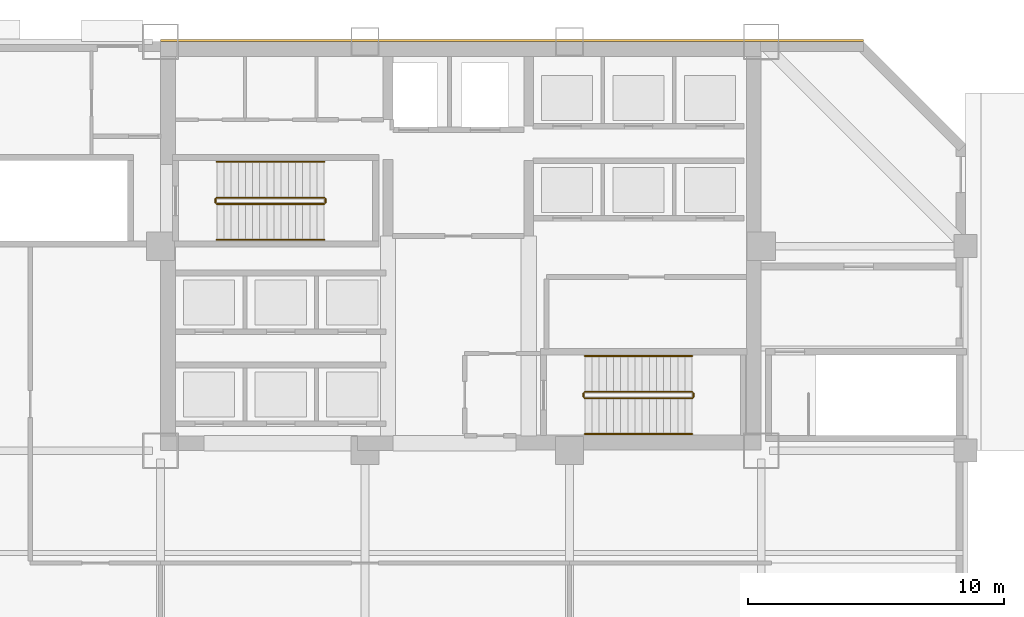
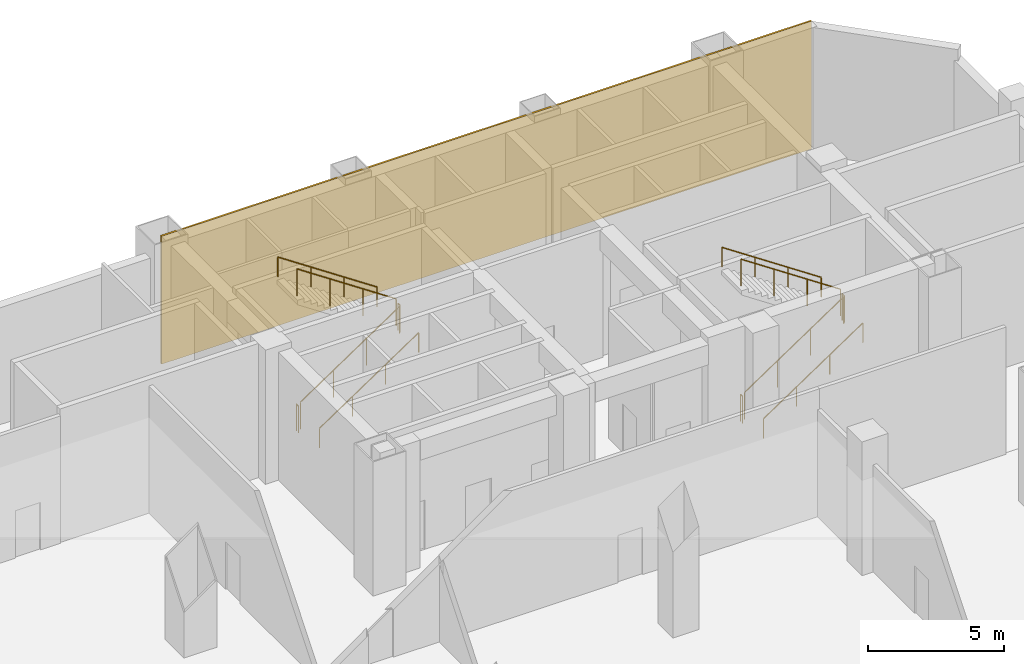
# One storey, part 17 of 19: 12 railings, 1 covering.
"""IFC4 building model written with IfcOpenShell, lengths in metres."""

from ifc_helpers import new_model, si_unit, direction, frame, origin, origin_2d, place, context, subcontext, project, spatial, rectangle, circle, extrude, material, layer, layer_set, type_object, element, save


model = new_model("IFC4")

# Units and contexts
model_context = context("Model", 3, precision=1e-05, world=origin(), true_north=direction((0.0, 1.0)))
body_context = subcontext(model_context, "Body", "Model", "MODEL_VIEW")
ifc_project = project(units=[si_unit("LENGTHUNIT", "METRE"), si_unit("AREAUNIT", "SQUARE_METRE"), si_unit("VOLUMEUNIT", "CUBIC_METRE"), si_unit("PLANEANGLEUNIT", "RADIAN"), si_unit("MASSUNIT", "GRAM", prefix="KILO")], contexts=[model_context])

# Site, building, storey
site_placement = place(None, origin())
site = spatial("IfcSite", under=ifc_project, at=site_placement, CompositionType="ELEMENT")
building_placement = place(site_placement, origin())
building = spatial("IfcBuilding", under=site, at=building_placement, Name="Qianrong Seaharbour Tower", CompositionType="ELEMENT")
storey_placement = place(building_placement, origin())
storey = spatial("IfcBuildingStorey", under=building, at=storey_placement, Name="L01", CompositionType="ELEMENT", Elevation=0.0)

# Covering
ifc_material_1 = material(Name="Unitised red brick cladding on Precast concrete C45/55", Category="masonry")
ifc_layer = layer(ifc_material_1, 0.080078125)
ifc_layer_set = layer_set([ifc_layer], Name="Unitised red brick cladding on Precast concrete C45/55")
covering_type = type_object("IfcCoveringType", Name="COV-CLAD-RED-BRICK-80", PredefinedType="CLADDING", material=ifc_layer_set)
covering_placement = place(storey_placement, frame((54.25, 52.0400390625, 0.0), z_axis=(0.0, 0.0, 1.0), x_axis=(1.0, 0.0, 0.0)))
element("IfcCovering", 1, at=covering_placement, inside=storey, type_object=covering_type, Name="L01 North Core Brick Veneer Cladding", PredefinedType="CLADDING", context=body_context, shape_type="SweptSolid", body=[
    extrude(rectangle(XDim=27.5, YDim=0.080078125, at=origin_2d()), origin(), (0.0, 0.0, 1.0), 5.719970703125),
])

# Railings
ifc_material_2 = material(Name="Galvanized painted steel SN400B stair guard", Category="steel")
railing_type_1 = type_object("IfcRailingType", Name="RAIL-STAIR-GUARD-1220", PredefinedType="GUARDRAIL", material=ifc_material_2)
railing_1_placement = place(storey_placement, frame((42.699951171875, 45.64990234375, 0.1875)))
element("IfcRailing", 2, at=railing_1_placement, inside=storey, type_object=railing_type_1, Name="L01 ST-1 stair guard 1", PredefinedType="GUARDRAIL", context=body_context, shape_type="SweptSolid", body=[
    extrude(circle(Radius=0.02392578125, at=origin_2d()), frame((0.0, 0.0, 1.19580078125), z_axis=(0.830904186295, 0.0, 0.556415522067), x_axis=(0.0, 1.0, 0.0)), (0.0, 0.0, 1.0), 5.0546875),
    extrude(circle(Radius=0.02099609375, at=origin_2d()), origin(), (0.0, 0.0, 1.0), 1.171875),
    extrude(circle(Radius=0.02099609375, at=origin_2d()), frame((1.39990234375, 0.0, 0.9375)), (0.0, 0.0, 1.0), 1.171875),
    extrude(circle(Radius=0.02099609375, at=origin_2d()), frame((2.800048828125, 0.0, 1.875)), (0.0, 0.0, 1.0), 1.171875),
    extrude(circle(Radius=0.02099609375, at=origin_2d()), frame((4.199951171875, 0.0, 2.8125)), (0.0, 0.0, 1.0), 1.171875),
])
railing_2_placement = place(storey_placement, frame((46.949951171875, 45.699951171875, 3.0)))
element("IfcRailing", 3, at=railing_2_placement, inside=storey, type_object=railing_type_1, Name="L01 ST-1 stair guard 2", PredefinedType="GUARDRAIL", context=body_context, shape_type="SweptSolid", body=[
    extrude(circle(Radius=0.02392578125, at=origin_2d()), frame((0.0, 0.0, 1.19580078125), z_axis=(0.0, 1.0, 0.0), x_axis=(-1.0, 0.0, 0.0)), (0.0, 0.0, 1.0), 0.150146484375),
    extrude(circle(Radius=0.02099609375, at=origin_2d()), origin(), (0.0, 0.0, 1.0), 1.171875),
    extrude(circle(Radius=0.02099609375, at=origin_2d()), frame((0.0, 0.150146484375, 0.0)), (0.0, 0.0, 1.0), 1.171875),
])
railing_3_placement = place(storey_placement, frame((46.89990234375, 45.89990234375, 3.1875)))
element("IfcRailing", 4, at=railing_3_placement, inside=storey, type_object=railing_type_1, Name="L01 ST-1 stair guard 3", PredefinedType="GUARDRAIL", context=body_context, shape_type="SweptSolid", body=[
    extrude(circle(Radius=0.02392578125, at=origin_2d()), frame((0.0, 0.0, 1.19580078125), z_axis=(-0.830904186295, 0.0, 0.556415522067), x_axis=(0.0, -1.0, 0.0)), (0.0, 0.0, 1.0), 5.0546875),
    extrude(circle(Radius=0.02099609375, at=origin_2d()), origin(), (0.0, 0.0, 1.0), 1.171875),
    extrude(circle(Radius=0.02099609375, at=origin_2d()), frame((-1.39990234375, 0.0, 0.9375)), (0.0, 0.0, 1.0), 1.171875),
    extrude(circle(Radius=0.02099609375, at=origin_2d()), frame((-2.800048828125, 0.0, 1.875)), (0.0, 0.0, 1.0), 1.171875),
    extrude(circle(Radius=0.02099609375, at=origin_2d()), frame((-4.199951171875, 0.0, 2.8125)), (0.0, 0.0, 1.0), 1.171875),
])
railing_4_placement = place(storey_placement, frame((42.64990234375, 45.699951171875, 0.0)))
element("IfcRailing", 5, at=railing_4_placement, inside=storey, type_object=railing_type_1, Name="L01 ST-1 stair guard 4", PredefinedType="GUARDRAIL", context=body_context, shape_type="SweptSolid", body=[
    extrude(circle(Radius=0.02392578125, at=origin_2d()), frame((0.0, 0.0, 1.19580078125), z_axis=(0.0, 1.0, 0.0), x_axis=(-1.0, 0.0, 0.0)), (0.0, 0.0, 1.0), 0.150146484375),
    extrude(circle(Radius=0.02099609375, at=origin_2d()), origin(), (0.0, 0.0, 1.0), 1.171875),
    extrude(circle(Radius=0.02099609375, at=origin_2d()), frame((0.0, 0.150146484375, 0.0)), (0.0, 0.0, 1.0), 1.171875),
])
railing_5_placement = place(storey_placement, frame((57.10009765625, 38.050048828125, 0.1875)))
element("IfcRailing", 6, at=railing_5_placement, inside=storey, type_object=railing_type_1, Name="L01 ST-2 stair guard 1", PredefinedType="GUARDRAIL", context=body_context, shape_type="SweptSolid", body=[
    extrude(circle(Radius=0.02392578125, at=origin_2d()), frame((0.0, 0.0, 1.19580078125), z_axis=(0.830904186295, 0.0, 0.556415522067), x_axis=(0.0, 1.0, 0.0)), (0.0, 0.0, 1.0), 5.0546875),
    extrude(circle(Radius=0.02099609375, at=origin_2d()), origin(), (0.0, 0.0, 1.0), 1.171875),
    extrude(circle(Radius=0.02099609375, at=origin_2d()), frame((1.39990234375, 0.0, 0.9375)), (0.0, 0.0, 1.0), 1.171875),
    extrude(circle(Radius=0.02099609375, at=origin_2d()), frame((2.800048828125, 0.0, 1.875)), (0.0, 0.0, 1.0), 1.171875),
    extrude(circle(Radius=0.02099609375, at=origin_2d()), frame((4.199951171875, 0.0, 2.8125)), (0.0, 0.0, 1.0), 1.171875),
])
railing_6_placement = place(storey_placement, frame((61.35009765625, 38.10009765625, 3.0)))
element("IfcRailing", 7, at=railing_6_placement, inside=storey, type_object=railing_type_1, Name="L01 ST-2 stair guard 2", PredefinedType="GUARDRAIL", context=body_context, shape_type="SweptSolid", body=[
    extrude(circle(Radius=0.02392578125, at=origin_2d()), frame((0.0, 0.0, 1.19580078125), z_axis=(0.0, 1.0, 0.0), x_axis=(-1.0, 0.0, 0.0)), (0.0, 0.0, 1.0), 0.14990234375),
    extrude(circle(Radius=0.02099609375, at=origin_2d()), origin(), (0.0, 0.0, 1.0), 1.171875),
    extrude(circle(Radius=0.02099609375, at=origin_2d()), frame((0.0, 0.14990234375, 0.0)), (0.0, 0.0, 1.0), 1.171875),
])
railing_7_placement = place(storey_placement, frame((61.300048828125, 38.300048828125, 3.1875)))
element("IfcRailing", 8, at=railing_7_placement, inside=storey, type_object=railing_type_1, Name="L01 ST-2 stair guard 3", PredefinedType="GUARDRAIL", context=body_context, shape_type="SweptSolid", body=[
    extrude(circle(Radius=0.02392578125, at=origin_2d()), frame((0.0, 0.0, 1.19580078125), z_axis=(-0.830904186295, 0.0, 0.556415522067), x_axis=(0.0, -1.0, 0.0)), (0.0, 0.0, 1.0), 5.0546875),
    extrude(circle(Radius=0.02099609375, at=origin_2d()), origin(), (0.0, 0.0, 1.0), 1.171875),
    extrude(circle(Radius=0.02099609375, at=origin_2d()), frame((-1.39990234375, 0.0, 0.9375)), (0.0, 0.0, 1.0), 1.171875),
    extrude(circle(Radius=0.02099609375, at=origin_2d()), frame((-2.800048828125, 0.0, 1.875)), (0.0, 0.0, 1.0), 1.171875),
    extrude(circle(Radius=0.02099609375, at=origin_2d()), frame((-4.199951171875, 0.0, 2.8125)), (0.0, 0.0, 1.0), 1.171875),
])
railing_8_placement = place(storey_placement, frame((57.050048828125, 38.10009765625, 0.0)))
element("IfcRailing", 9, at=railing_8_placement, inside=storey, type_object=railing_type_1, Name="L01 ST-2 stair guard 4", PredefinedType="GUARDRAIL", context=body_context, shape_type="SweptSolid", body=[
    extrude(circle(Radius=0.02392578125, at=origin_2d()), frame((0.0, 0.0, 1.19580078125), z_axis=(0.0, 1.0, 0.0), x_axis=(-1.0, 0.0, 0.0)), (0.0, 0.0, 1.0), 0.14990234375),
    extrude(circle(Radius=0.02099609375, at=origin_2d()), origin(), (0.0, 0.0, 1.0), 1.171875),
    extrude(circle(Radius=0.02099609375, at=origin_2d()), frame((0.0, 0.14990234375, 0.0)), (0.0, 0.0, 1.0), 1.171875),
])
ifc_material_3 = material(Name="Stainless steel SUS316L continuous handrail", Category="steel")
railing_type_2 = type_object("IfcRailingType", Name="RAIL-STAIR-HANDRAIL-900", PredefinedType="HANDRAIL", material=ifc_material_3)
railing_9_placement = place(storey_placement, frame((42.699951171875, 44.25, 0.1875)))
element("IfcRailing", 10, at=railing_9_placement, inside=storey, type_object=railing_type_2, Name="L01 ST-1 stair handrail 1", PredefinedType="HANDRAIL", context=body_context, shape_type="SweptSolid", body=[
    extrude(circle(Radius=0.02392578125, at=origin_2d()), frame((0.0, 0.0, 0.8759765625), z_axis=(0.830904186295, 0.0, 0.556415522067), x_axis=(0.0, 1.0, 0.0)), (0.0, 0.0, 1.0), 5.0546875),
    extrude(circle(Radius=0.02099609375, at=origin_2d()), origin(), (0.0, 0.0, 1.0), 0.851806640625),
    extrude(circle(Radius=0.02099609375, at=origin_2d()), frame((1.39990234375, 0.0, 0.9375)), (0.0, 0.0, 1.0), 0.851806640625),
    extrude(circle(Radius=0.02099609375, at=origin_2d()), frame((2.800048828125, 0.0, 1.875)), (0.0, 0.0, 1.0), 0.851806640625),
    extrude(circle(Radius=0.02099609375, at=origin_2d()), frame((4.199951171875, 0.0, 2.8125)), (0.0, 0.0, 1.0), 0.851806640625),
])
railing_10_placement = place(storey_placement, frame((46.89990234375, 47.300048828125, 3.1875)))
element("IfcRailing", 11, at=railing_10_placement, inside=storey, type_object=railing_type_2, Name="L01 ST-1 stair handrail 2", PredefinedType="HANDRAIL", context=body_context, shape_type="SweptSolid", body=[
    extrude(circle(Radius=0.02392578125, at=origin_2d()), frame((0.0, 0.0, 0.8759765625), z_axis=(-0.830904186295, 0.0, 0.556415522067), x_axis=(0.0, -1.0, 0.0)), (0.0, 0.0, 1.0), 5.0546875),
    extrude(circle(Radius=0.02099609375, at=origin_2d()), origin(), (0.0, 0.0, 1.0), 0.851806640625),
    extrude(circle(Radius=0.02099609375, at=origin_2d()), frame((-1.39990234375, 0.0, 0.9375)), (0.0, 0.0, 1.0), 0.851806640625),
    extrude(circle(Radius=0.02099609375, at=origin_2d()), frame((-2.800048828125, 0.0, 1.875)), (0.0, 0.0, 1.0), 0.851806640625),
    extrude(circle(Radius=0.02099609375, at=origin_2d()), frame((-4.199951171875, 0.0, 2.8125)), (0.0, 0.0, 1.0), 0.851806640625),
])
railing_11_placement = place(storey_placement, frame((57.10009765625, 36.64990234375, 0.1875)))
element("IfcRailing", 12, at=railing_11_placement, inside=storey, type_object=railing_type_2, Name="L01 ST-2 stair handrail 1", PredefinedType="HANDRAIL", context=body_context, shape_type="SweptSolid", body=[
    extrude(circle(Radius=0.02392578125, at=origin_2d()), frame((0.0, 0.0, 0.8759765625), z_axis=(0.830904186295, 0.0, 0.556415522067), x_axis=(0.0, 1.0, 0.0)), (0.0, 0.0, 1.0), 5.0546875),
    extrude(circle(Radius=0.02099609375, at=origin_2d()), origin(), (0.0, 0.0, 1.0), 0.851806640625),
    extrude(circle(Radius=0.02099609375, at=origin_2d()), frame((1.39990234375, 0.0, 0.9375)), (0.0, 0.0, 1.0), 0.851806640625),
    extrude(circle(Radius=0.02099609375, at=origin_2d()), frame((2.800048828125, 0.0, 1.875)), (0.0, 0.0, 1.0), 0.851806640625),
    extrude(circle(Radius=0.02099609375, at=origin_2d()), frame((4.199951171875, 0.0, 2.8125)), (0.0, 0.0, 1.0), 0.851806640625),
])
railing_12_placement = place(storey_placement, frame((61.300048828125, 39.699951171875, 3.1875)))
element("IfcRailing", 13, at=railing_12_placement, inside=storey, type_object=railing_type_2, Name="L01 ST-2 stair handrail 2", PredefinedType="HANDRAIL", context=body_context, shape_type="SweptSolid", body=[
    extrude(circle(Radius=0.02392578125, at=origin_2d()), frame((0.0, 0.0, 0.8759765625), z_axis=(-0.830904186295, 0.0, 0.556415522067), x_axis=(0.0, -1.0, 0.0)), (0.0, 0.0, 1.0), 5.0546875),
    extrude(circle(Radius=0.02099609375, at=origin_2d()), origin(), (0.0, 0.0, 1.0), 0.851806640625),
    extrude(circle(Radius=0.02099609375, at=origin_2d()), frame((-1.39990234375, 0.0, 0.9375)), (0.0, 0.0, 1.0), 0.851806640625),
    extrude(circle(Radius=0.02099609375, at=origin_2d()), frame((-2.800048828125, 0.0, 1.875)), (0.0, 0.0, 1.0), 0.851806640625),
    extrude(circle(Radius=0.02099609375, at=origin_2d()), frame((-4.199951171875, 0.0, 2.8125)), (0.0, 0.0, 1.0), 0.851806640625),
])

save(model, "model.ifc")
